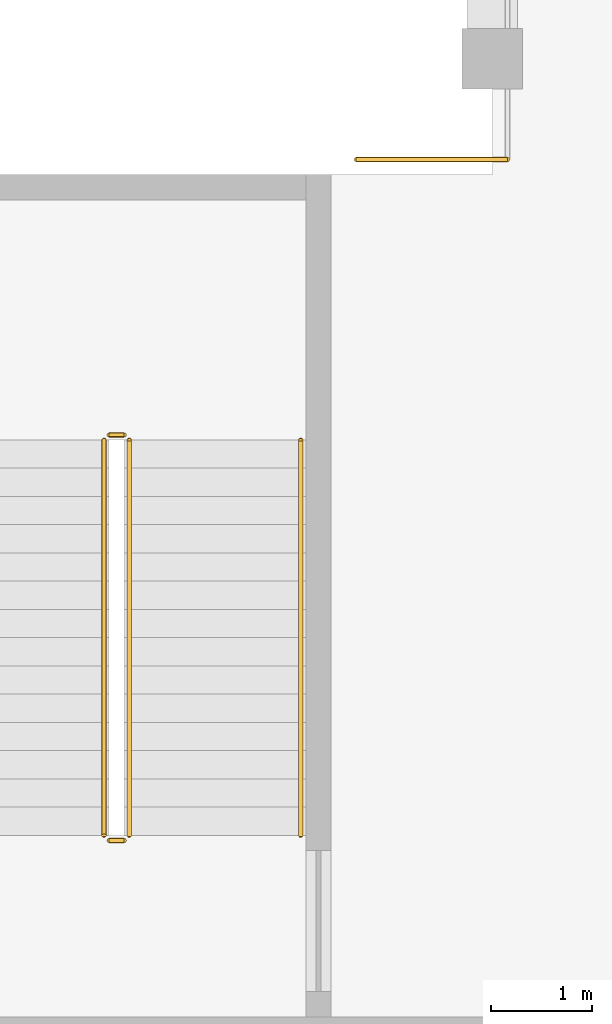
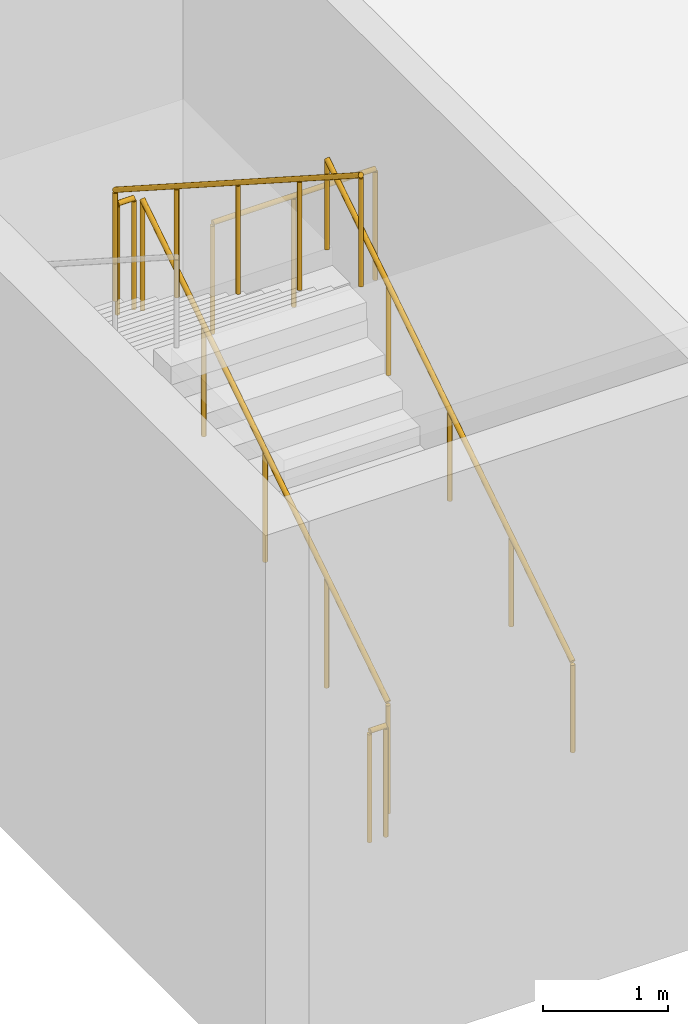
# One storey, part 38 of 43: 6 railings.
"""IFC4 building model written with IfcOpenShell, lengths in metres."""

import ifcopenshell
import ifcopenshell.guid

model = None  # the IFC model being written
_history = None  # IfcOwnerHistory: only IFC2X3 demands one
_inside = {}  # id of a spatial element -> (the spatial element, [elements in it])
_under = {}  # id of a project, library or spatial element -> (it, [spatial elements below it])
_declared = {}  # id of a project -> (the project, [libraries it declares])
_typed = {}  # id of a type object -> (the type object, [elements of that type])
_made_of = {}  # id of a material, layer set ... -> (it, [elements and type objects made of it])


def new_model(schema):
    """Start an empty IFC model of exactly this schema.

    Asked for "IFC4X3", IfcOpenShell would pick the latest addendum, in which some entities
    have other attributes; the version numbers below select the first issue.
    IFC2X3 requires an IfcOwnerHistory on every rooted entity: one is made here for all.
    """
    global model, _history
    if schema == "IFC4X3":
        model = ifcopenshell.file(schema_version=(4, 3, 0, 0))
    else:
        model = ifcopenshell.file(schema=schema)
    _inside.clear()
    _under.clear()
    _declared.clear()
    _typed.clear()
    _made_of.clear()
    _history = None
    if model.schema == "IFC2X3":
        org = make("IfcOrganization", Name="unknown")
        user = make(
            "IfcPersonAndOrganization",
            ThePerson=make("IfcPerson", FamilyName="unknown"),
            TheOrganization=org,
        )
        app = make(
            "IfcApplication",
            ApplicationDeveloper=org,
            Version="unknown",
            ApplicationFullName="unknown",
            ApplicationIdentifier="unknown",
        )
        _history = make(
            "IfcOwnerHistory",
            OwningUser=user,
            OwningApplication=app,
            ChangeAction="ADDED",
            CreationDate=0,
        )
    return model


def make(cls, **values):
    """One entity of the class cls with the attributes given. An attribute that is None is left unset."""
    return model.create_entity(
        cls, **{name: value for name, value in values.items() if value is not None}
    )


def rooted(cls, **values):
    """An entity with a GlobalId (a new one), such as an element, a storey or a relation."""
    return make(cls, GlobalId=ifcopenshell.guid.new(), OwnerHistory=_history, **values)


def si_unit(unit_type, name, prefix=None):
    """IfcSIUnit, for example si_unit("LENGTHUNIT", "METRE", prefix="MILLI")."""
    return make("IfcSIUnit", UnitType=unit_type, Prefix=prefix, Name=name)


def assignment(units):
    """IfcUnitAssignment: the units of a project."""
    return None if units is None else make("IfcUnitAssignment", Units=units)


def point(xyz):
    """IfcCartesianPoint."""
    return None if xyz is None else make("IfcCartesianPoint", Coordinates=xyz)


def direction(xyz):
    """IfcDirection."""
    return None if xyz is None else make("IfcDirection", DirectionRatios=xyz)


def frame(location, z_axis=None, x_axis=None):
    """IfcAxis2Placement3D, a coordinate frame: its origin and axes. An axis left out is left unset."""
    return make(
        "IfcAxis2Placement3D",
        Location=point(location),
        Axis=direction(z_axis),
        RefDirection=direction(x_axis),
    )


def frame_2d(location, x_axis=None):
    """IfcAxis2Placement2D, a coordinate frame in the plane: its origin and x axis."""
    return make(
        "IfcAxis2Placement2D", Location=point(location), RefDirection=direction(x_axis)
    )


def origin():
    """The frame at (0, 0, 0) with its axes left unset."""
    return frame((0.0, 0.0, 0.0))


def origin_2d():
    """The frame at (0, 0) in the plane with its x axis left unset."""
    return frame_2d((0.0, 0.0))


def place(relative_to, where):
    """IfcLocalPlacement: puts the frame where relative to a parent placement (None: the world)."""
    return make(
        "IfcLocalPlacement", PlacementRelTo=relative_to, RelativePlacement=where
    )


def context(
    kind, dimensions, precision=None, world=None, true_north=None, identifier=None
):
    """IfcGeometricRepresentationContext, for example the 3D "Model" context."""
    return make(
        "IfcGeometricRepresentationContext",
        ContextIdentifier=identifier,
        ContextType=kind,
        CoordinateSpaceDimension=dimensions,
        Precision=precision,
        WorldCoordinateSystem=world,
        TrueNorth=true_north,
    )


def subcontext(parent, identifier, kind, view, scale=None):
    """IfcGeometricRepresentationSubContext, for example "Body" below "Model"."""
    return make(
        "IfcGeometricRepresentationSubContext",
        ContextIdentifier=identifier,
        ContextType=kind,
        ParentContext=parent,
        TargetScale=scale,
        TargetView=view,
    )


def project(units=None, contexts=None):
    """IfcProject with its units and contexts."""
    return rooted(
        "IfcProject",
        Name="project",
        RepresentationContexts=contexts,
        UnitsInContext=assignment(units),
    )


def spatial(cls, under=None, at=None, **own):
    """A site, building, storey or space (cls), placed at a placement, below another one or the project."""
    s = rooted(cls, ObjectPlacement=at, **own)
    if under is not None:
        _under.setdefault(under.id(), (under, []))[1].append(s)
    return s


def profile(cls, at=None, kind="AREA", **sizes):
    """A parametric profile (cls). Its sizes go by their IFC names, for example OverallWidth=200.0."""
    return make(cls, ProfileType=kind, Position=at, **sizes)


def circle(**sizes):
    """IfcCircleProfileDef."""
    return profile("IfcCircleProfileDef", **sizes)


def extrude(swept, where, along, depth):
    """IfcExtrudedAreaSolid: the profile swept, set in the frame where, extruded along a direction by depth."""
    return make(
        "IfcExtrudedAreaSolid",
        SweptArea=swept,
        Position=where,
        ExtrudedDirection=direction(along),
        Depth=depth,
    )


def shape(context_of_items, identifier, shape_type, items):
    """IfcShapeRepresentation: the items that make up one representation, for example the "Body"."""
    return make(
        "IfcShapeRepresentation",
        ContextOfItems=context_of_items,
        RepresentationIdentifier=identifier,
        RepresentationType=shape_type,
        Items=items,
    )


def material(Name=None, Category=None):
    """IfcMaterial."""
    return make("IfcMaterial", Name=Name, Category=Category)


def made_of(thing, what):
    """Note that an element or type object is made of a material, layer set ...; save() writes the relation."""
    if what is not None:
        _made_of.setdefault(what.id(), (what, []))[1].append(thing)
    return thing


def type_object(cls, material=None, **own):
    """A type object (cls), such as IfcWallType, which elements share."""
    return made_of(rooted(cls, **own), material)


def element(
    cls,
    number,
    at=None,
    inside=None,
    cuts=None,
    type_object=None,
    material=None,
    context=None,
    identifier="Body",
    shape_type=None,
    held_by="IfcProductDefinitionShape",
    body=None,
    shapes=None,
    **own,
):
    """One element of the class cls, such as IfcWall. Its Tag is "e" and its number.

    at: its placement. inside: the storey or other place that contains it. cuts: it is an
    opening in that element (IfcRelVoidsElement). A single representation is given by context,
    identifier, shape_type and body (its items); several are given by shapes. held_by: the class
    of the entity that holds the representations. save() writes the other relations.
    """
    e = rooted(cls, Tag="e%d" % number, ObjectPlacement=at, **own)
    if body is not None:
        shapes = [shape(context, identifier, shape_type, body)]
    if shapes is not None:
        e.Representation = make(held_by, Representations=shapes)
    if inside is not None:
        _inside.setdefault(inside.id(), (inside, []))[1].append(e)
    if cuts is not None:
        rooted(
            "IfcRelVoidsElement", RelatingBuildingElement=cuts, RelatedOpeningElement=e
        )
    if type_object is not None:
        _typed.setdefault(type_object.id(), (type_object, []))[1].append(e)
    return made_of(e, material)


def aggregate(whole, parts):
    """IfcRelAggregates: a whole, such as a stair, and the parts it consists of."""
    return rooted("IfcRelAggregates", RelatingObject=whole, RelatedObjects=parts)


def save(model, path):
    """Write the relations noted so far, then the file.

    IfcRelAggregates (storeys below a building ...), IfcRelContainedInSpatialStructure (elements
    in a storey), IfcRelDefinesByType, IfcRelAssociatesMaterial and IfcRelDeclares: one each for
    every whole, place, type object, material and project.
    """
    for whole, parts in _under.values():
        aggregate(whole, parts)
    for where, things in _inside.values():
        rooted(
            "IfcRelContainedInSpatialStructure",
            RelatedElements=things,
            RelatingStructure=where,
        )
    for kind, things in _typed.values():
        rooted("IfcRelDefinesByType", RelatedObjects=things, RelatingType=kind)
    for what, things in _made_of.values():
        rooted("IfcRelAssociatesMaterial", RelatedObjects=things, RelatingMaterial=what)
    for by, libraries in _declared.values():
        rooted("IfcRelDeclares", RelatingContext=by, RelatedDefinitions=libraries)
    model.write(path)


model = new_model("IFC4")

# Units and contexts
model_context = context("Model", 3, precision=1e-05, world=origin(), true_north=direction((0.0, 1.0)))
body_context = subcontext(model_context, "Body", "Model", "MODEL_VIEW")
ifc_project = project(units=[si_unit("LENGTHUNIT", "METRE"), si_unit("AREAUNIT", "SQUARE_METRE"), si_unit("VOLUMEUNIT", "CUBIC_METRE"), si_unit("PLANEANGLEUNIT", "RADIAN"), si_unit("MASSUNIT", "GRAM", prefix="KILO")], contexts=[model_context])

# Site, building, storey
site_placement = place(None, origin())
site = spatial("IfcSite", under=ifc_project, at=site_placement, CompositionType="ELEMENT")
building_placement = place(site_placement, origin())
building = spatial("IfcBuilding", under=site, at=building_placement, Name="Hunhe Ridgeline Campus", CompositionType="ELEMENT")
storey_placement = place(building_placement, frame((0.0, 0.0, 11.39990234375)))
storey = spatial("IfcBuildingStorey", under=building, at=storey_placement, Name="L02", CompositionType="ELEMENT", Elevation=11.39990234375)

# Railings
ifc_material_1 = material(Name="Glass and steel", Category="steel")
railing_type_1 = type_object("IfcRailingType", Name="Hall glass guard 1100", PredefinedType="GUARDRAIL", material=ifc_material_1)
railing_1_placement = place(storey_placement, frame((154.64990234375, 31.39990234375, 0.0)))
element("IfcRailing", 1, at=railing_1_placement, inside=storey, type_object=railing_type_1, Name="L02 atrium guard south", PredefinedType="GUARDRAIL", context=body_context, shape_type="SweptSolid", body=[
    extrude(circle(Radius=0.02392578125, at=origin_2d()), frame((0.0, 0.0, 1.076171875), z_axis=(1.0, 0.0, 0.0), x_axis=(0.0, 1.0, 0.0)), (0.0, 0.0, 1.0), 1.5),
    extrude(circle(Radius=0.02099609375, at=origin_2d()), origin(), (0.0, 0.0, 1.0), 1.052001953125),
    extrude(circle(Radius=0.02099609375, at=origin_2d()), frame((0.75, 0.0, 0.0)), (0.0, 0.0, 1.0), 1.052001953125),
    extrude(circle(Radius=0.02099609375, at=origin_2d()), frame((1.5, 0.0, 0.0)), (0.0, 0.0, 1.0), 1.052001953125),
])
ifc_material_2 = material(Name="Steel Q235", Category="steel")
railing_type_2 = type_object("IfcRailingType", Name="Hall stair guard 1100", PredefinedType="GUARDRAIL", material=ifc_material_2)
railing_2_placement = place(storey_placement, frame((152.39990234375, 24.699951171875, 0.18017578125)))
element("IfcRailing", 2, at=railing_2_placement, inside=storey, type_object=railing_type_2, Name="L02 HS1 stair guard 1", PredefinedType="GUARDRAIL", context=body_context, shape_type="SweptSolid", body=[
    extrude(circle(Radius=0.02392578125, at=origin_2d()), frame((0.0, 0.0, 1.076171875), z_axis=(0.0, 0.841186985886, 0.540744352514), x_axis=(-1.0, 0.0, 0.0)), (0.0, 0.0, 1.0), 4.660400390625),
    extrude(circle(Radius=0.02099609375, at=origin_2d()), origin(), (0.0, 0.0, 1.0), 1.052001953125),
    extrude(circle(Radius=0.02099609375, at=origin_2d()), frame((0.0, 0.97998046875, 0.6298828125)), (0.0, 0.0, 1.0), 1.052001953125),
    extrude(circle(Radius=0.02099609375, at=origin_2d()), frame((0.0, 1.9599609375, 1.260009765625)), (0.0, 0.0, 1.0), 1.052001953125),
    extrude(circle(Radius=0.02099609375, at=origin_2d()), frame((0.0, 2.940185546875, 1.89013671875)), (0.0, 0.0, 1.0), 1.052001953125),
    extrude(circle(Radius=0.02099609375, at=origin_2d()), frame((0.0, 3.920166015625, 2.52001953125)), (0.0, 0.0, 1.0), 1.052001953125),
])
railing_3_placement = place(storey_placement, frame((152.35009765625, 28.669921875, 2.7001953125)))
element("IfcRailing", 3, at=railing_3_placement, inside=storey, type_object=railing_type_2, Name="L02 HS1 stair guard 2", PredefinedType="GUARDRAIL", context=body_context, shape_type="SweptSolid", body=[
    extrude(circle(Radius=0.02392578125, at=origin_2d()), frame((0.0, 0.0, 1.076171875), z_axis=(-1.0, 0.0, 0.0), x_axis=(0.0, -1.0, 0.0)), (0.0, 0.0, 1.0), 0.150146484375),
    extrude(circle(Radius=0.02099609375, at=origin_2d()), origin(), (0.0, 0.0, 1.0), 1.052001953125),
    extrude(circle(Radius=0.02099609375, at=origin_2d()), frame((-0.150146484375, 0.0, 0.0)), (0.0, 0.0, 1.0), 1.052001953125),
])
railing_4_placement = place(storey_placement, frame((152.14990234375, 28.6201171875, 2.880126953125)))
element("IfcRailing", 4, at=railing_4_placement, inside=storey, type_object=railing_type_2, Name="L02 HS1 stair guard 3", PredefinedType="GUARDRAIL", context=body_context, shape_type="SweptSolid", body=[
    extrude(circle(Radius=0.02392578125, at=origin_2d()), frame((0.0, 0.0, 1.076171875), z_axis=(0.0, -0.841186985886, 0.540744352514), x_axis=(1.0, 0.0, 0.0)), (0.0, 0.0, 1.0), 4.660400390625),
    extrude(circle(Radius=0.02099609375, at=origin_2d()), origin(), (0.0, 0.0, 1.0), 1.052001953125),
    extrude(circle(Radius=0.02099609375, at=origin_2d()), frame((0.0, -0.97998046875, 0.6298828125)), (0.0, 0.0, 1.0), 1.052001953125),
    extrude(circle(Radius=0.02099609375, at=origin_2d()), frame((0.0, -1.9599609375, 1.260009765625)), (0.0, 0.0, 1.0), 1.052001953125),
    extrude(circle(Radius=0.02099609375, at=origin_2d()), frame((0.0, -2.940185546875, 1.89013671875)), (0.0, 0.0, 1.0), 1.052001953125),
    extrude(circle(Radius=0.02099609375, at=origin_2d()), frame((0.0, -3.920166015625, 2.52001953125)), (0.0, 0.0, 1.0), 1.052001953125),
])
railing_5_placement = place(storey_placement, frame((152.35009765625, 24.64990234375, 0.0)))
element("IfcRailing", 5, at=railing_5_placement, inside=storey, type_object=railing_type_2, Name="L02 HS1 stair guard 4", PredefinedType="GUARDRAIL", context=body_context, shape_type="SweptSolid", body=[
    extrude(circle(Radius=0.02392578125, at=origin_2d()), frame((0.0, 0.0, 1.076171875), z_axis=(-1.0, 0.0, 0.0), x_axis=(0.0, -1.0, 0.0)), (0.0, 0.0, 1.0), 0.150146484375),
    extrude(circle(Radius=0.02099609375, at=origin_2d()), origin(), (0.0, 0.0, 1.0), 1.052001953125),
    extrude(circle(Radius=0.02099609375, at=origin_2d()), frame((-0.150146484375, 0.0, 0.0)), (0.0, 0.0, 1.0), 1.052001953125),
])
railing_type_3 = type_object("IfcRailingType", Name="Hall stair handrail", PredefinedType="HANDRAIL", material=ifc_material_2)
railing_6_placement = place(storey_placement, frame((154.10009765625, 24.699951171875, 0.18017578125)))
element("IfcRailing", 6, at=railing_6_placement, inside=storey, type_object=railing_type_3, Name="L02 HS1 stair handrail 1", PredefinedType="HANDRAIL", context=body_context, shape_type="SweptSolid", body=[
    extrude(circle(Radius=0.02392578125, at=origin_2d()), frame((0.0, 0.0, 0.8759765625), z_axis=(0.0, 0.841186985886, 0.540744352514), x_axis=(-1.0, 0.0, 0.0)), (0.0, 0.0, 1.0), 4.660400390625),
    extrude(circle(Radius=0.02099609375, at=origin_2d()), origin(), (0.0, 0.0, 1.0), 0.851806640625),
    extrude(circle(Radius=0.02099609375, at=origin_2d()), frame((0.0, 0.97998046875, 0.6298828125)), (0.0, 0.0, 1.0), 0.851806640625),
    extrude(circle(Radius=0.02099609375, at=origin_2d()), frame((0.0, 1.9599609375, 1.260009765625)), (0.0, 0.0, 1.0), 0.851806640625),
    extrude(circle(Radius=0.02099609375, at=origin_2d()), frame((0.0, 2.940185546875, 1.89013671875)), (0.0, 0.0, 1.0), 0.851806640625),
    extrude(circle(Radius=0.02099609375, at=origin_2d()), frame((0.0, 3.920166015625, 2.52001953125)), (0.0, 0.0, 1.0), 0.851806640625),
])

save(model, "model.ifc")
